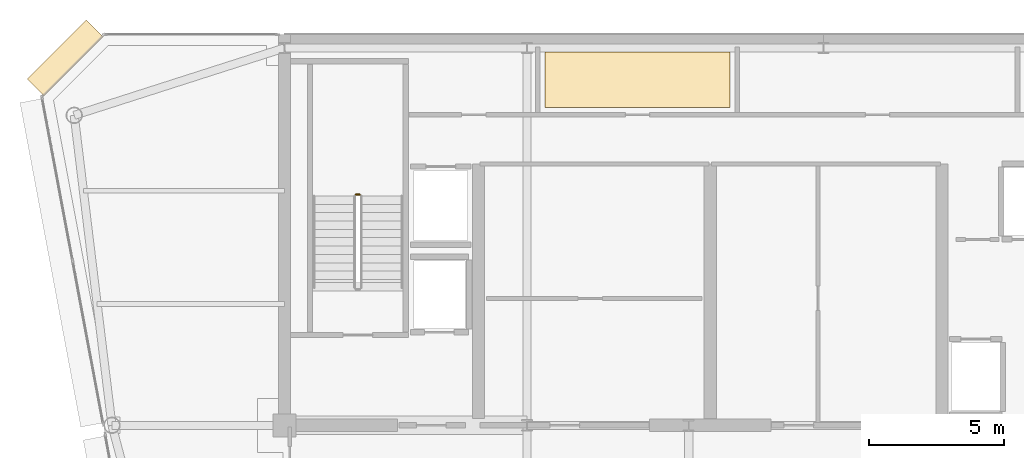
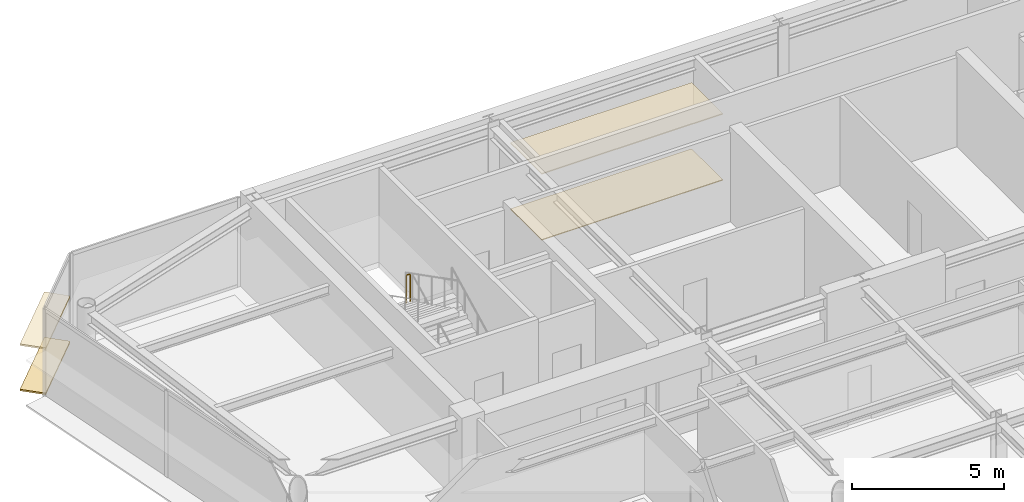
# One storey, part 18 of 20: 4 coverings, 1 railing.
"""IFC4 building model written with IfcOpenShell, lengths in metres."""

import ifcopenshell
import ifcopenshell.guid

model = None  # the IFC model being written
_history = None  # IfcOwnerHistory: only IFC2X3 demands one
_inside = {}  # id of a spatial element -> (the spatial element, [elements in it])
_under = {}  # id of a project, library or spatial element -> (it, [spatial elements below it])
_declared = {}  # id of a project -> (the project, [libraries it declares])
_typed = {}  # id of a type object -> (the type object, [elements of that type])
_made_of = {}  # id of a material, layer set ... -> (it, [elements and type objects made of it])


def new_model(schema):
    """Start an empty IFC model of exactly this schema.

    Asked for "IFC4X3", IfcOpenShell would pick the latest addendum, in which some entities
    have other attributes; the version numbers below select the first issue.
    IFC2X3 requires an IfcOwnerHistory on every rooted entity: one is made here for all.
    """
    global model, _history
    if schema == "IFC4X3":
        model = ifcopenshell.file(schema_version=(4, 3, 0, 0))
    else:
        model = ifcopenshell.file(schema=schema)
    _inside.clear()
    _under.clear()
    _declared.clear()
    _typed.clear()
    _made_of.clear()
    _history = None
    if model.schema == "IFC2X3":
        org = make("IfcOrganization", Name="unknown")
        user = make(
            "IfcPersonAndOrganization",
            ThePerson=make("IfcPerson", FamilyName="unknown"),
            TheOrganization=org,
        )
        app = make(
            "IfcApplication",
            ApplicationDeveloper=org,
            Version="unknown",
            ApplicationFullName="unknown",
            ApplicationIdentifier="unknown",
        )
        _history = make(
            "IfcOwnerHistory",
            OwningUser=user,
            OwningApplication=app,
            ChangeAction="ADDED",
            CreationDate=0,
        )
    return model


def make(cls, **values):
    """One entity of the class cls with the attributes given. An attribute that is None is left unset."""
    return model.create_entity(
        cls, **{name: value for name, value in values.items() if value is not None}
    )


def rooted(cls, **values):
    """An entity with a GlobalId (a new one), such as an element, a storey or a relation."""
    return make(cls, GlobalId=ifcopenshell.guid.new(), OwnerHistory=_history, **values)


def si_unit(unit_type, name, prefix=None):
    """IfcSIUnit, for example si_unit("LENGTHUNIT", "METRE", prefix="MILLI")."""
    return make("IfcSIUnit", UnitType=unit_type, Prefix=prefix, Name=name)


def assignment(units):
    """IfcUnitAssignment: the units of a project."""
    return None if units is None else make("IfcUnitAssignment", Units=units)


def point(xyz):
    """IfcCartesianPoint."""
    return None if xyz is None else make("IfcCartesianPoint", Coordinates=xyz)


def direction(xyz):
    """IfcDirection."""
    return None if xyz is None else make("IfcDirection", DirectionRatios=xyz)


def frame(location, z_axis=None, x_axis=None):
    """IfcAxis2Placement3D, a coordinate frame: its origin and axes. An axis left out is left unset."""
    return make(
        "IfcAxis2Placement3D",
        Location=point(location),
        Axis=direction(z_axis),
        RefDirection=direction(x_axis),
    )


def frame_2d(location, x_axis=None):
    """IfcAxis2Placement2D, a coordinate frame in the plane: its origin and x axis."""
    return make(
        "IfcAxis2Placement2D", Location=point(location), RefDirection=direction(x_axis)
    )


def origin():
    """The frame at (0, 0, 0) with its axes left unset."""
    return frame((0.0, 0.0, 0.0))


def origin_2d():
    """The frame at (0, 0) in the plane with its x axis left unset."""
    return frame_2d((0.0, 0.0))


def place(relative_to, where):
    """IfcLocalPlacement: puts the frame where relative to a parent placement (None: the world)."""
    return make(
        "IfcLocalPlacement", PlacementRelTo=relative_to, RelativePlacement=where
    )


def context(
    kind, dimensions, precision=None, world=None, true_north=None, identifier=None
):
    """IfcGeometricRepresentationContext, for example the 3D "Model" context."""
    return make(
        "IfcGeometricRepresentationContext",
        ContextIdentifier=identifier,
        ContextType=kind,
        CoordinateSpaceDimension=dimensions,
        Precision=precision,
        WorldCoordinateSystem=world,
        TrueNorth=true_north,
    )


def subcontext(parent, identifier, kind, view, scale=None):
    """IfcGeometricRepresentationSubContext, for example "Body" below "Model"."""
    return make(
        "IfcGeometricRepresentationSubContext",
        ContextIdentifier=identifier,
        ContextType=kind,
        ParentContext=parent,
        TargetScale=scale,
        TargetView=view,
    )


def project(units=None, contexts=None):
    """IfcProject with its units and contexts."""
    return rooted(
        "IfcProject",
        Name="project",
        RepresentationContexts=contexts,
        UnitsInContext=assignment(units),
    )


def spatial(cls, under=None, at=None, **own):
    """A site, building, storey or space (cls), placed at a placement, below another one or the project."""
    s = rooted(cls, ObjectPlacement=at, **own)
    if under is not None:
        _under.setdefault(under.id(), (under, []))[1].append(s)
    return s


def polyline(points):
    """IfcPolyline through the points."""
    return make("IfcPolyline", Points=[point(p) for p in points])


def profile(cls, at=None, kind="AREA", **sizes):
    """A parametric profile (cls). Its sizes go by their IFC names, for example OverallWidth=200.0."""
    return make(cls, ProfileType=kind, Position=at, **sizes)


def rectangle(**sizes):
    """IfcRectangleProfileDef."""
    return profile("IfcRectangleProfileDef", **sizes)


def circle(**sizes):
    """IfcCircleProfileDef."""
    return profile("IfcCircleProfileDef", **sizes)


def outline(outer, holes=None, kind="AREA"):
    """IfcArbitraryClosedProfileDef: a profile drawn as a closed curve; with holes, ...WithVoids."""
    if holes is None:
        return make("IfcArbitraryClosedProfileDef", ProfileType=kind, OuterCurve=outer)
    return make(
        "IfcArbitraryProfileDefWithVoids",
        ProfileType=kind,
        OuterCurve=outer,
        InnerCurves=holes,
    )


def extrude(swept, where, along, depth):
    """IfcExtrudedAreaSolid: the profile swept, set in the frame where, extruded along a direction by depth."""
    return make(
        "IfcExtrudedAreaSolid",
        SweptArea=swept,
        Position=where,
        ExtrudedDirection=direction(along),
        Depth=depth,
    )


def shape(context_of_items, identifier, shape_type, items):
    """IfcShapeRepresentation: the items that make up one representation, for example the "Body"."""
    return make(
        "IfcShapeRepresentation",
        ContextOfItems=context_of_items,
        RepresentationIdentifier=identifier,
        RepresentationType=shape_type,
        Items=items,
    )


def source(mapping_origin, context_of_items, identifier, shape_type, items):
    """IfcRepresentationMap: a shape defined once, which mapped items show again and again."""
    return make(
        "IfcRepresentationMap",
        MappingOrigin=mapping_origin,
        MappedRepresentation=shape(context_of_items, identifier, shape_type, items),
    )


def transform(
    local_origin,
    x_axis=None,
    y_axis=None,
    z_axis=None,
    scale=None,
    scale2=None,
    scale3=None,
    uniform=True,
):
    """IfcCartesianTransformationOperator3D, or its non-uniform kind. x_axis, y_axis, z_axis: its Axis1, 2, 3."""
    if uniform:
        return make(
            "IfcCartesianTransformationOperator3D",
            Axis1=direction(x_axis),
            Axis2=direction(y_axis),
            LocalOrigin=point(local_origin),
            Scale=scale,
            Axis3=direction(z_axis),
        )
    return make(
        "IfcCartesianTransformationOperator3DnonUniform",
        Axis1=direction(x_axis),
        Axis2=direction(y_axis),
        LocalOrigin=point(local_origin),
        Scale=scale,
        Axis3=direction(z_axis),
        Scale2=scale2,
        Scale3=scale3,
    )


def mapped(mapping_source, mapping_target):
    """IfcMappedItem: shows the shape of a source again, moved by a transform."""
    return make(
        "IfcMappedItem", MappingSource=mapping_source, MappingTarget=mapping_target
    )


def material(Name=None, Category=None):
    """IfcMaterial."""
    return make("IfcMaterial", Name=Name, Category=Category)


def layer(
    of_material, thickness, ventilated=None, Name=None, Category=None, Priority=None
):
    """IfcMaterialLayer: one layer of a wall or slab, of a material (None: an air gap)."""
    return make(
        "IfcMaterialLayer",
        Material=of_material,
        LayerThickness=thickness,
        IsVentilated=ventilated,
        Name=Name,
        Category=Category,
        Priority=Priority,
    )


def layer_set(layers, Name=None):
    """IfcMaterialLayerSet."""
    return make("IfcMaterialLayerSet", MaterialLayers=layers, LayerSetName=Name)


def made_of(thing, what):
    """Note that an element or type object is made of a material, layer set ...; save() writes the relation."""
    if what is not None:
        _made_of.setdefault(what.id(), (what, []))[1].append(thing)
    return thing


def type_object(cls, material=None, **own):
    """A type object (cls), such as IfcWallType, which elements share."""
    return made_of(rooted(cls, **own), material)


def element(
    cls,
    number,
    at=None,
    inside=None,
    cuts=None,
    type_object=None,
    material=None,
    context=None,
    identifier="Body",
    shape_type=None,
    held_by="IfcProductDefinitionShape",
    body=None,
    shapes=None,
    **own,
):
    """One element of the class cls, such as IfcWall. Its Tag is "e" and its number.

    at: its placement. inside: the storey or other place that contains it. cuts: it is an
    opening in that element (IfcRelVoidsElement). A single representation is given by context,
    identifier, shape_type and body (its items); several are given by shapes. held_by: the class
    of the entity that holds the representations. save() writes the other relations.
    """
    e = rooted(cls, Tag="e%d" % number, ObjectPlacement=at, **own)
    if body is not None:
        shapes = [shape(context, identifier, shape_type, body)]
    if shapes is not None:
        e.Representation = make(held_by, Representations=shapes)
    if inside is not None:
        _inside.setdefault(inside.id(), (inside, []))[1].append(e)
    if cuts is not None:
        rooted(
            "IfcRelVoidsElement", RelatingBuildingElement=cuts, RelatedOpeningElement=e
        )
    if type_object is not None:
        _typed.setdefault(type_object.id(), (type_object, []))[1].append(e)
    return made_of(e, material)


def aggregate(whole, parts):
    """IfcRelAggregates: a whole, such as a stair, and the parts it consists of."""
    return rooted("IfcRelAggregates", RelatingObject=whole, RelatedObjects=parts)


def save(model, path):
    """Write the relations noted so far, then the file.

    IfcRelAggregates (storeys below a building ...), IfcRelContainedInSpatialStructure (elements
    in a storey), IfcRelDefinesByType, IfcRelAssociatesMaterial and IfcRelDeclares: one each for
    every whole, place, type object, material and project.
    """
    for whole, parts in _under.values():
        aggregate(whole, parts)
    for where, things in _inside.values():
        rooted(
            "IfcRelContainedInSpatialStructure",
            RelatedElements=things,
            RelatingStructure=where,
        )
    for kind, things in _typed.values():
        rooted("IfcRelDefinesByType", RelatedObjects=things, RelatingType=kind)
    for what, things in _made_of.values():
        rooted("IfcRelAssociatesMaterial", RelatedObjects=things, RelatingMaterial=what)
    for by, libraries in _declared.values():
        rooted("IfcRelDeclares", RelatingContext=by, RelatedDefinitions=libraries)
    model.write(path)


model = new_model("IFC4")

# Units and contexts
model_context = context("Model", 3, precision=1e-05, world=origin(), true_north=direction((0.0, 1.0)))
body_context = subcontext(model_context, "Body", "Model", "MODEL_VIEW")
ifc_project = project(units=[si_unit("LENGTHUNIT", "METRE"), si_unit("AREAUNIT", "SQUARE_METRE"), si_unit("VOLUMEUNIT", "CUBIC_METRE"), si_unit("PLANEANGLEUNIT", "RADIAN"), si_unit("MASSUNIT", "GRAM", prefix="KILO")], contexts=[model_context])

# Site, building, storey
site_placement = place(None, origin())
site = spatial("IfcSite", under=ifc_project, at=site_placement, CompositionType="ELEMENT")
building_placement = place(site_placement, origin())
building = spatial("IfcBuilding", under=site, at=building_placement, Name="Vaeldorn Concourse Tower", CompositionType="ELEMENT")
storey_placement = place(building_placement, frame((0.0, 0.0, 284.0)))
storey = spatial("IfcBuildingStorey", under=building, at=storey_placement, Name="L73", CompositionType="ELEMENT", Elevation=284.0)

# Coverings
ifc_material_1 = material(Name="Acoustic Mineral Fibre Board", Category="gypsum")
ifc_layer_1 = layer(ifc_material_1, 0.0400390625)
ifc_layer_set_1 = layer_set([ifc_layer_1], Name="Acoustic Mineral Fibre Board")
covering_type_1 = type_object("IfcCoveringType", Name="COV-CEIL-ACOUSTIC", PredefinedType="CEILING", material=ifc_layer_set_1)
covering_1_placement = place(storey_placement, frame((0.0, 0.0, 2.64990234375)))
element("IfcCovering", 1, at=covering_1_placement, inside=storey, type_object=covering_type_1, Name="Suspended Acoustic Ceiling L73-2", PredefinedType="CEILING", context=body_context, shape_type="SweptSolid", body=[
    extrude(outline(polyline([(30.5400390625, 50.35009765625), (30.5400390625, 48.300048828125), (23.659912109375, 48.300048828125), (23.659912109375, 50.35009765625), (30.5400390625, 50.35009765625)])), origin(), (0.0, 0.0, 1.0), 0.0400390625),
])
ifc_material_2 = material(Name="Honed Limestone Terrazzo Flooring", Category="masonry")
ifc_layer_2 = layer(ifc_material_2, 0.0400390625)
ifc_layer_set_2 = layer_set([ifc_layer_2], Name="Honed Limestone Terrazzo Flooring")
covering_type_2 = type_object("IfcCoveringType", Name="COV-FLOOR-STONE", PredefinedType="FLOORING", material=ifc_layer_set_2)
covering_2_placement = place(storey_placement, origin())
element("IfcCovering", 2, at=covering_2_placement, inside=storey, type_object=covering_type_2, Name="Floor Finish Covering L73-2", PredefinedType="FLOORING", context=body_context, shape_type="SweptSolid", body=[
    extrude(outline(polyline([(30.5400390625, 50.35009765625), (30.5400390625, 48.300048828125), (23.659912109375, 48.300048828125), (23.659912109375, 50.35009765625), (30.5400390625, 50.35009765625)])), origin(), (0.0, 0.0, 1.0), 0.030029296875),
])

# Railing
ifc_material_3 = material(Name="Anodised Bronze Aluminium", Category="aluminium")
railing_type = type_object("IfcRailingType", Name="RL-STAIR-GUARD", PredefinedType="GUARDRAIL", material=ifc_material_3)
railing_placement = place(storey_placement, frame((16.800048828125, 45.06005859375, 1.89990234375)))
element("IfcRailing", 3, at=railing_placement, inside=storey, type_object=railing_type, Name="L73 ST-1 stair guard 2", PredefinedType="GUARDRAIL", context=body_context, shape_type="SweptSolid", body=[
    extrude(circle(Radius=0.02392578125, at=origin_2d()), frame((0.0, 0.0, 1.1259765625), z_axis=(-1.0, 0.0, 0.0), x_axis=(0.0, -1.0, 0.0)), (0.0, 0.0, 1.0), 0.150146484375),
    extrude(circle(Radius=0.02099609375, at=origin_2d()), origin(), (0.0, 0.0, 1.0), 1.101806640625),
    extrude(circle(Radius=0.02099609375, at=origin_2d()), frame((-0.150146484375, 0.0, 0.0)), (0.0, 0.0, 1.0), 1.101806640625),
])

# Coverings
ifc_layer_3 = layer(ifc_material_3, 0.06494140625)
ifc_layer_set_3 = layer_set([ifc_layer_3], Name="Anodised Bronze Aluminium")
covering_type_3 = type_object("IfcCoveringType", Name="SD-BRONZE-SUNSHADE", PredefinedType="USERDEFINED", material=ifc_layer_set_3)
shared_shape = source(origin(), body_context, "Body", "SweptSolid", [
    extrude(rectangle(XDim=3.0927734375, YDim=0.8798828125, at=origin_2d()), origin(), (0.0, 0.0, 1.0), 0.06494140625),
])
for number, where, z_axis, x_axis, name in (
    (4, (5.8671875, 50.1328125, 0.047607421875), (0.0, 0.0, 1.0), (-0.707106781187, -0.707106781187, 0.0), "Horizontal Bronze Sunshade L73-E10.1.1"),
    (5, (5.8671875, 50.1328125, 1.867431640625), (0.0, 0.0, 1.0), (-0.707106781187, -0.707106781187, 0.0), "Horizontal Bronze Sunshade L73-E10.1.2"),
):
    element("IfcCovering", number, at=place(storey_placement, frame(where, z_axis=z_axis, x_axis=x_axis)), inside=storey, type_object=covering_type_3, Name=name, ObjectType="SUNSHADE", PredefinedType="USERDEFINED", context=body_context, shape_type="MappedRepresentation", body=[
        mapped(shared_shape, transform((0.0, 0.0, 0.0), scale=1.0)),
    ])

save(model, "model.ifc")
